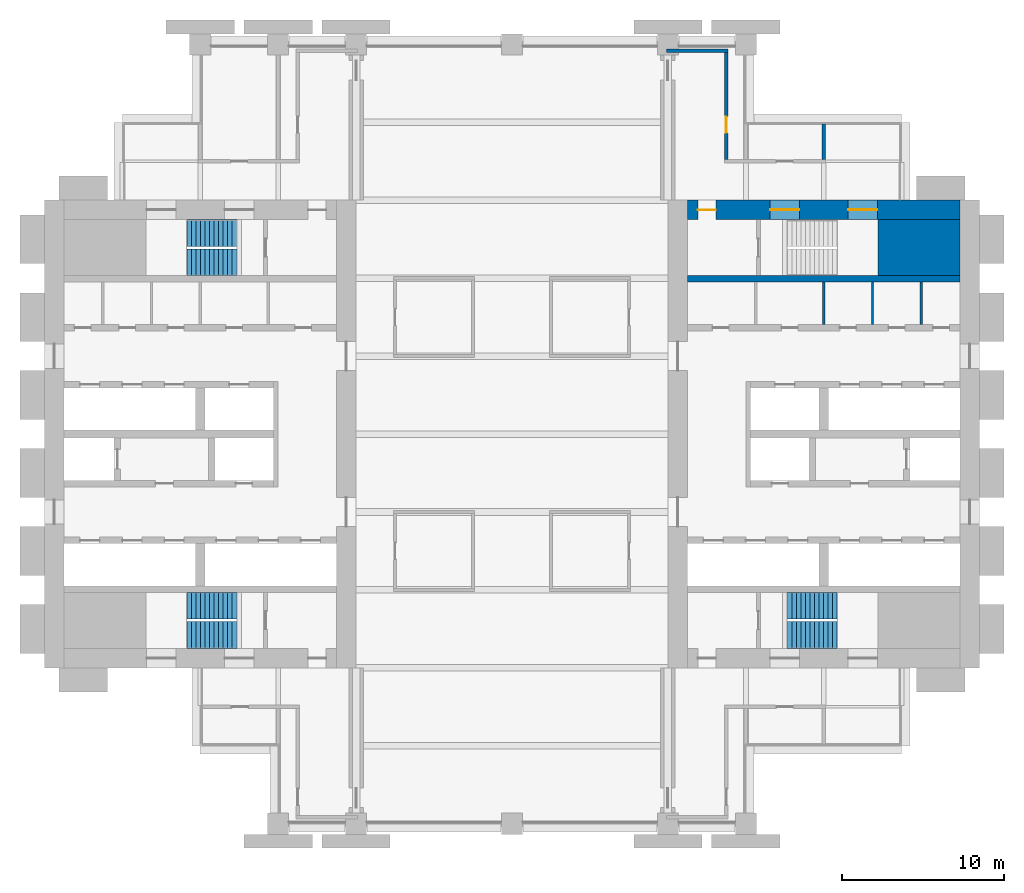
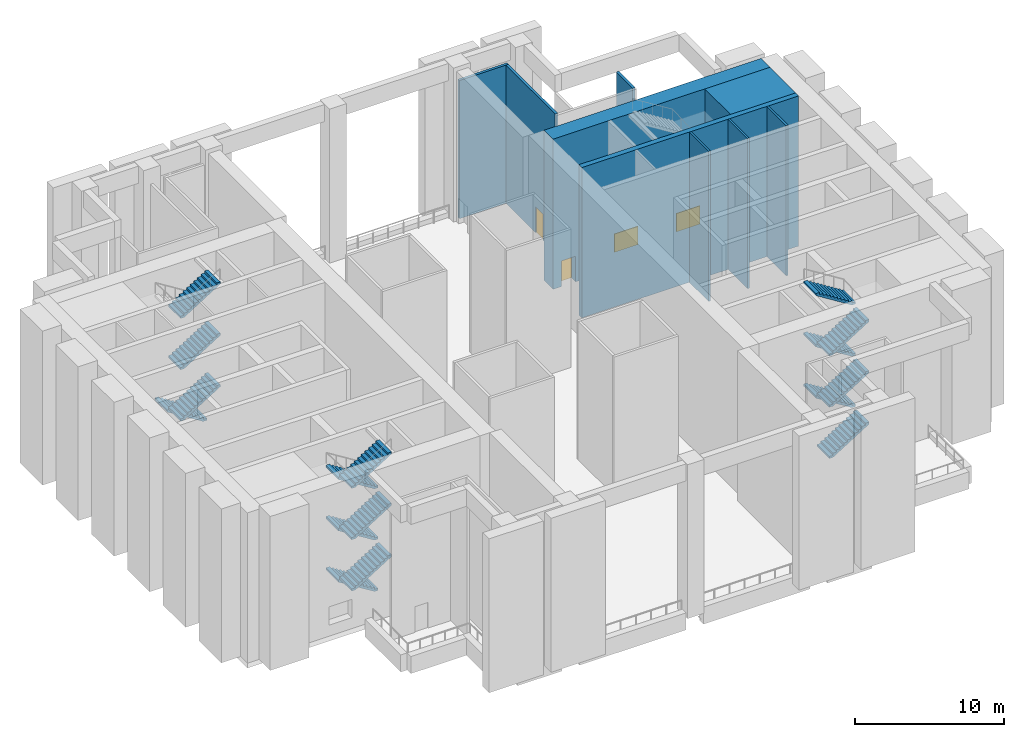
# One storey, part 6 of 10: 16 stair flights, 9 walls, 2 doors, 2 windows, 4 openings, 3 elements without a shape of their own.
"""IFC4 building model written with IfcOpenShell, lengths in metres."""

from ifc_helpers import new_model, si_unit, direction, frame, frame_2d, origin, place, context, subcontext, project, spatial, polyline, rectangle, outline, extrude, material, layer, layer_set, type_object, element, fill, aggregate, save


model = new_model("IFC4")

# Units and contexts
model_context = context("Model", 3, precision=1e-05, world=origin(), true_north=direction((0.0, 1.0)))
body_context = subcontext(model_context, "Body", "Model", "MODEL_VIEW")
ifc_project = project(units=[si_unit("LENGTHUNIT", "METRE"), si_unit("AREAUNIT", "SQUARE_METRE"), si_unit("VOLUMEUNIT", "CUBIC_METRE"), si_unit("PLANEANGLEUNIT", "RADIAN"), si_unit("MASSUNIT", "GRAM", prefix="KILO")], contexts=[model_context])

# Site, building, storey
site_placement = place(None, origin())
site = spatial("IfcSite", under=ifc_project, at=site_placement, CompositionType="ELEMENT")
building_placement = place(site_placement, origin())
building = spatial("IfcBuilding", under=site, at=building_placement, Name="Baori Bourse Tower", CompositionType="ELEMENT")
storey_placement = place(building_placement, frame((0.0, 0.0, 91.5)))
storey = spatial("IfcBuildingStorey", under=building, at=storey_placement, Name="L20", CompositionType="ELEMENT", Elevation=91.5)

# Walls
ifc_material_1 = material(Name="Concrete f'c 70 MPa", Category="concrete")
wall_type_1 = type_object("IfcWallType", Name="Core corner block f'c 70", PredefinedType="SHEAR", material=ifc_material_1)
wall_1_placement = place(storey_placement, frame((51.35009765625, 35.47509765625, 0.0), z_axis=(0.0, 0.0, 1.0), x_axis=(1.0, 0.0, 0.0)))
element("IfcWall", 1, at=wall_1_placement, inside=storey, type_object=wall_type_1, Name="Core wall E22", PredefinedType="SHEAR", context=body_context, shape_type="SweptSolid", body=[
    extrude(rectangle(XDim=5.0498046875, YDim=3.449951171875, at=frame_2d((2.52490234375, 0.0))), origin(), (0.0, 0.0, 1.0), 12.300048828125),
])
ifc_material_2 = material(Name="Blockwork partition", Category="masonry")
ifc_layer_1 = layer(ifc_material_2, 0.14990234375)
ifc_layer_set_1 = layer_set([ifc_layer_1], Name="Core partition 150")
wall_type_2 = type_object("IfcWallType", Name="Core partition 150", PredefinedType="PARTITIONING", material=ifc_layer_set_1)
for number, where, z_axis, x_axis, name in (
    (2, (54.0, 30.75, 0.0), (0.0, 0.0, 1.0), (0.0, 1.0, 0.0), "Partition wall E17"),
    (3, (51.0, 30.75, 0.0), (0.0, 0.0, 1.0), (0.0, 1.0, 0.0), "Partition wall E18"),
    (4, (48.0, 30.75, 0.0), (0.0, 0.0, 1.0), (0.0, 1.0, 0.0), "Partition wall E19"),
):
    element("IfcWall", number, at=place(storey_placement, frame(where, z_axis=z_axis, x_axis=x_axis)), inside=storey, type_object=wall_type_2, Name=name, PredefinedType="PARTITIONING", context=body_context, shape_type="SweptSolid", body=[
        extrude(rectangle(XDim=2.60009765625, YDim=0.14990234375, at=frame_2d((1.300048828125, 0.0))), origin(), (0.0, 0.0, 1.0), 12.300048828125),
    ])

# Wall, openings, door, windows
ifc_material_3 = material(Name="Concrete f'c 70 MPa", Category="concrete")
ifc_layer_2 = layer(ifc_material_3, 1.199951171875)
ifc_layer_set_2 = layer_set([ifc_layer_2], Name="Core wall 1200 f'c 70")
wall_type_3 = type_object("IfcWallType", Name="Core wall 1200 f'c 70", PredefinedType="SHEAR", material=ifc_layer_set_2)
wall_2_placement = place(storey_placement, frame((39.60009765625, 37.800048828125, 0.0), z_axis=(0.0, 0.0, 1.0), x_axis=(1.0, 0.0, 0.0)))
wall_2 = element("IfcWall", 5, at=wall_2_placement, inside=storey, type_object=wall_type_3, Name="Core wall E24", PredefinedType="SHEAR", context=body_context, shape_type="SweptSolid", body=[
    extrude(rectangle(XDim=16.7998046875, YDim=1.199951171875, at=frame_2d((8.39990234375, 0.0))), origin(), (0.0, 0.0, 1.0), 12.300048828125),
])
opening_1_placement = place(wall_2_placement, frame((0.64990234375, 0.0, 0.0)))
opening_1 = element("IfcOpeningElement", 6, at=opening_1_placement, cuts=wall_2, Name="Opening L20-D204", PredefinedType="OPENING", context=body_context, shape_type="SweptSolid", body=[
    extrude(rectangle(XDim=1.10009765625, YDim=2.10009765625, at=frame_2d((0.550048828125, 1.050048828125))), frame((0.0, 0.60986328125, 0.0), z_axis=(0.0, -1.0, 0.0), x_axis=(1.0, 0.0, 0.0)), (0.0, 0.0, 1.0), 1.219970703125),
])
opening_2_placement = place(wall_2_placement, frame((9.89990234375, 0.0, 0.89990234375)))
opening_2 = element("IfcOpeningElement", 7, at=opening_2_placement, cuts=wall_2, Name="Opening L20-KW205", PredefinedType="OPENING", context=body_context, shape_type="SweptSolid", body=[
    extrude(rectangle(XDim=1.800048828125, YDim=1.5, at=frame_2d((0.89990234375, 0.75))), frame((0.0, 0.60986328125, 0.0), z_axis=(0.0, -1.0, 0.0), x_axis=(1.0, 0.0, 0.0)), (0.0, 0.0, 1.0), 1.219970703125),
])
opening_3_placement = place(wall_2_placement, frame((5.10009765625, 0.0, 0.89990234375)))
opening_3 = element("IfcOpeningElement", 8, at=opening_3_placement, cuts=wall_2, Name="Opening L20-KW206", PredefinedType="OPENING", context=body_context, shape_type="SweptSolid", body=[
    extrude(rectangle(XDim=1.800048828125, YDim=1.5, at=frame_2d((0.89990234375, 0.75))), frame((0.0, 0.60986328125, 0.0), z_axis=(0.0, -1.0, 0.0), x_axis=(1.0, 0.0, 0.0)), (0.0, 0.0, 1.0), 1.219970703125),
])
ifc_material_4 = material(Name="Painted steel door", Category="steel")
door_type_1 = type_object("IfcDoorType", Name="Stair door 1100", OperationType="SINGLE_SWING_LEFT", PredefinedType="DOOR", material=ifc_material_4)
door_1_placement = place(opening_1_placement, origin())
door_1 = element("IfcDoor", 9, at=door_1_placement, inside=storey, type_object=door_type_1, Name="Stair vestibule door B E L20", OperationType="SINGLE_SWING_LEFT", OverallHeight=2.10009765625, OverallWidth=1.10009765625, PredefinedType="DOOR", context=body_context, shape_type="SweptSolid", body=[
    extrude(rectangle(XDim=1.10009765625, YDim=2.10009765625, at=frame_2d((0.550048828125, 1.050048828125))), frame((0.0, 0.02490234375, 0.0), z_axis=(0.0, -1.0, 0.0), x_axis=(1.0, 0.0, 0.0)), (0.0, 0.0, 1.0), 0.050048828125),
])
fill(opening_1, door_1)
ifc_material_5 = material(Name="Pale anodised aluminium", Category="aluminium")
window_type = type_object("IfcWindowType", Name="Stair window 1800 x 1500", PartitioningType="SINGLE_PANEL", PredefinedType="WINDOW", material=ifc_material_5)
window_1_placement = place(opening_2_placement, origin())
window_1 = element("IfcWindow", 10, at=window_1_placement, inside=storey, type_object=window_type, Name="Stair window E L20 5", OverallHeight=1.5, OverallWidth=1.800048828125, PartitioningType="SINGLE_PANEL", PredefinedType="WINDOW", context=body_context, shape_type="SweptSolid", body=[
    extrude(rectangle(XDim=1.800048828125, YDim=1.5, at=frame_2d((0.89990234375, 0.75))), frame((0.0, 0.030029296875, 0.0), z_axis=(0.0, -1.0, 0.0), x_axis=(1.0, 0.0, 0.0)), (0.0, 0.0, 1.0), 0.06005859375),
])
fill(opening_2, window_1)
window_2_placement = place(opening_3_placement, origin())
window_2 = element("IfcWindow", 11, at=window_2_placement, inside=storey, type_object=window_type, Name="Stair window E L20 6", OverallHeight=1.5, OverallWidth=1.800048828125, PartitioningType="SINGLE_PANEL", PredefinedType="WINDOW", context=body_context, shape_type="SweptSolid", body=[
    extrude(rectangle(XDim=1.800048828125, YDim=1.5, at=frame_2d((0.89990234375, 0.75))), frame((0.0, 0.030029296875, 0.0), z_axis=(0.0, -1.0, 0.0), x_axis=(1.0, 0.0, 0.0)), (0.0, 0.0, 1.0), 0.06005859375),
])
fill(opening_3, window_2)

# Wall
ifc_material_6 = material(Name="Gypsum board partition")
ifc_layer_3 = layer(ifc_material_6, 0.199951171875)
ifc_layer_set_3 = layer_set([ifc_layer_3], Name="Plant room wall 200")
wall_type_4 = type_object("IfcWallType", Name="Plant room wall 200", PredefinedType="PARTITIONING", material=ifc_layer_set_3)
wall_3_placement = place(storey_placement, frame((38.300048828125, 47.60009765625, 0.0), z_axis=(0.0, 0.0, 1.0), x_axis=(1.0, 0.0, 0.0)))
element("IfcWall", 12, at=wall_3_placement, inside=storey, type_object=wall_type_4, Name="Partition", PredefinedType="PARTITIONING", context=body_context, shape_type="SweptSolid", body=[
    extrude(rectangle(XDim=3.800048828125, YDim=0.199951171875, at=frame_2d((1.89990234375, 0.0))), origin(), (0.0, 0.0, 1.0), 11.309326171875),
])

# Wall, opening, door
wall_4_placement = place(storey_placement, frame((42.0, 40.89990234375, 0.0), z_axis=(0.0, 0.0, 1.0), x_axis=(0.0, 1.0, 0.0)))
wall_4 = element("IfcWall", 13, at=wall_4_placement, inside=storey, type_object=wall_type_4, Name="Partition", PredefinedType="PARTITIONING", context=body_context, shape_type="SweptSolid", body=[
    extrude(rectangle(XDim=6.60009765625, YDim=0.199951171875, at=frame_2d((3.300048828125, 0.0))), origin(), (0.0, 0.0, 1.0), 11.309326171875),
])
opening_4_placement = place(wall_4_placement, frame((1.64990234375, 0.0, 0.0)))
opening_4 = element("IfcOpeningElement", 14, at=opening_4_placement, cuts=wall_4, Name="Opening L20-D12", PredefinedType="OPENING", context=body_context, shape_type="SweptSolid", body=[
    extrude(rectangle(XDim=1.0, YDim=2.10009765625, at=frame_2d((0.5, 1.050048828125))), frame((0.0, 0.10986328125, 0.0), z_axis=(0.0, -1.0, 0.0), x_axis=(1.0, 0.0, 0.0)), (0.0, 0.0, 1.0), 0.219970703125),
])
ifc_material_7 = material(Name="Timber door leaf", Category="wood")
door_type_2 = type_object("IfcDoorType", Name="Door 1000 x 2100", OperationType="SINGLE_SWING_LEFT", PredefinedType="DOOR", material=ifc_material_7)
door_2_placement = place(opening_4_placement, origin())
door_2 = element("IfcDoor", 15, at=door_2_placement, inside=storey, type_object=door_type_2, Name="Door", OperationType="SINGLE_SWING_LEFT", OverallHeight=2.10009765625, OverallWidth=1.0, PredefinedType="DOOR", context=body_context, shape_type="SweptSolid", body=[
    extrude(rectangle(XDim=1.0, YDim=2.10009765625, at=frame_2d((0.5, 1.050048828125))), frame((0.0, 0.02490234375, 0.0), z_axis=(0.0, -1.0, 0.0), x_axis=(1.0, 0.0, 0.0)), (0.0, 0.0, 1.0), 0.050048828125),
])
fill(opening_4, door_2)

# Walls
wall_5_placement = place(storey_placement, frame((48.0, 40.89990234375, 0.0), z_axis=(0.0, 0.0, 1.0), x_axis=(0.0, 1.0, 0.0)))
element("IfcWall", 16, at=wall_5_placement, inside=storey, type_object=wall_type_4, Name="Partition", PredefinedType="PARTITIONING", context=body_context, shape_type="SweptSolid", body=[
    extrude(rectangle(XDim=2.2001953125, YDim=0.199951171875, at=frame_2d((1.10009765625, 0.0))), origin(), (0.0, 0.0, 1.0), 11.309326171875),
])
ifc_material_8 = material(Name="Concrete f'c 70 MPa", Category="concrete")
ifc_layer_4 = layer(ifc_material_8, 0.39990234375)
ifc_layer_set_4 = layer_set([ifc_layer_4], Name="Shaft wall 400 f'c 70")
wall_type_5 = type_object("IfcWallType", Name="Shaft wall 400 f'c 70", PredefinedType="SHEAR", material=ifc_layer_set_4)
wall_6_placement = place(storey_placement, frame((39.60009765625, 33.550048828125, 0.0), z_axis=(0.0, 0.0, 1.0), x_axis=(1.0, 0.0, 0.0)))
element("IfcWall", 17, at=wall_6_placement, inside=storey, type_object=wall_type_5, Name="Core wall E21", PredefinedType="SHEAR", context=body_context, shape_type="SweptSolid", body=[
    extrude(rectangle(XDim=16.7998046875, YDim=0.39990234375, at=frame_2d((8.39990234375, 0.0))), origin(), (0.0, 0.0, 1.0), 12.300048828125),
])

# Stair, stair flights
ifc_material_9 = material(Name="Concrete f'c 50 MPa", Category="concrete")
stair_type = type_object("IfcStairType", Name="Core stair", PredefinedType="HALF_TURN_STAIR", material=ifc_material_9)
stair_1_placement = place(storey_placement, origin())
stair_1 = element("IfcStair", 18, at=stair_1_placement, inside=storey, type_object=stair_type, Name="L20 Stair WA", PredefinedType="HALF_TURN_STAIR")
ifc_material_10 = material(Name="Concrete f'c 50 MPa", Category="concrete")
stair_flight_type = type_object("IfcStairFlightType", Name="Core stair flight", PredefinedType="STRAIGHT", material=ifc_material_10)
stair_flight_1_placement = place(storey_placement, frame((11.85009765625, 13.425048828125, 0.0), z_axis=(0.0, 0.0, 1.0), x_axis=(-1.0, 0.0, 0.0)))
stair_flight_1 = element("IfcStairFlight", 19, at=stair_flight_1_placement, type_object=stair_flight_type, Name="ST1 flight 1", NumberOfRisers=12, NumberOfTreads=11, PredefinedType="STRAIGHT", RiserHeight=0.175, TreadLength=0.28, context=body_context, shape_type="SweptSolid", body=[
    extrude(outline(polyline([(0.0, 0.0), (0.0, 0.175048828125), (0.280029296875, 0.175048828125), (0.280029296875, 0.35009765625), (0.56005859375, 0.35009765625), (0.56005859375, 0.52490234375), (0.840087890625, 0.52490234375), (0.840087890625, 0.699951171875), (1.1201171875, 0.699951171875), (1.1201171875, 0.875), (1.39990234375, 0.875), (1.39990234375, 1.050048828125), (1.679931640625, 1.050048828125), (1.679931640625, 1.22509765625), (1.9599609375, 1.22509765625), (1.9599609375, 1.39990234375), (2.239990234375, 1.39990234375), (2.239990234375, 1.574951171875), (2.52001953125, 1.574951171875), (2.52001953125, 1.75), (2.800048828125, 1.75), (2.800048828125, 1.925048828125), (3.080078125, 1.925048828125), (3.080078125, 2.10009765625), (3.080078125, 1.748291015625), (0.28271484375, 0.0), (0.0, 0.0)])), frame((0.0, 0.824951171875, 0.0), z_axis=(0.0, -1.0, 0.0), x_axis=(1.0, 0.0, 0.0)), (0.0, 0.0, 1.0), 1.64990234375),
])
stair_flight_2_placement = place(storey_placement, frame((8.77001953125, 11.625, 2.10009765625), z_axis=(0.0, 0.0, 1.0), x_axis=(1.0, 0.0, 0.0)))
stair_flight_2 = element("IfcStairFlight", 20, at=stair_flight_2_placement, type_object=stair_flight_type, Name="ST1 flight 2", NumberOfRisers=12, NumberOfTreads=11, PredefinedType="STRAIGHT", RiserHeight=0.175, TreadLength=0.28, context=body_context, shape_type="SweptSolid", body=[
    extrude(outline(polyline([(0.0, 0.0), (0.0, 0.175048828125), (0.280029296875, 0.175048828125), (0.280029296875, 0.35009765625), (0.56005859375, 0.35009765625), (0.56005859375, 0.52490234375), (0.840087890625, 0.52490234375), (0.840087890625, 0.699951171875), (1.1201171875, 0.699951171875), (1.1201171875, 0.875), (1.39990234375, 0.875), (1.39990234375, 1.050048828125), (1.679931640625, 1.050048828125), (1.679931640625, 1.22509765625), (1.9599609375, 1.22509765625), (1.9599609375, 1.39990234375), (2.239990234375, 1.39990234375), (2.239990234375, 1.574951171875), (2.52001953125, 1.574951171875), (2.52001953125, 1.75), (2.800048828125, 1.75), (2.800048828125, 1.925048828125), (3.080078125, 1.925048828125), (3.080078125, 2.10009765625), (3.080078125, 1.748291015625), (0.28271484375, 0.0), (0.0, 0.0)])), frame((0.0, 0.824951171875, 0.0), z_axis=(0.0, -1.0, 0.0), x_axis=(1.0, 0.0, 0.0)), (0.0, 0.0, 1.0), 1.64990234375),
])
stair_flight_3_placement = place(storey_placement, frame((11.85009765625, 13.425048828125, 4.199951171875), z_axis=(0.0, 0.0, 1.0), x_axis=(-1.0, 0.0, 0.0)))
stair_flight_3 = element("IfcStairFlight", 21, at=stair_flight_3_placement, type_object=stair_flight_type, Name="ST1 flight 3", NumberOfRisers=12, NumberOfTreads=11, PredefinedType="STRAIGHT", RiserHeight=0.175, TreadLength=0.28, context=body_context, shape_type="SweptSolid", body=[
    extrude(outline(polyline([(0.0, 0.0), (0.0, 0.175048828125), (0.280029296875, 0.175048828125), (0.280029296875, 0.35009765625), (0.56005859375, 0.35009765625), (0.56005859375, 0.52490234375), (0.840087890625, 0.52490234375), (0.840087890625, 0.699951171875), (1.1201171875, 0.699951171875), (1.1201171875, 0.875), (1.39990234375, 0.875), (1.39990234375, 1.050048828125), (1.679931640625, 1.050048828125), (1.679931640625, 1.22509765625), (1.9599609375, 1.22509765625), (1.9599609375, 1.39990234375), (2.239990234375, 1.39990234375), (2.239990234375, 1.574951171875), (2.52001953125, 1.574951171875), (2.52001953125, 1.75), (2.800048828125, 1.75), (2.800048828125, 1.925048828125), (3.080078125, 1.925048828125), (3.080078125, 2.10009765625), (3.080078125, 1.748291015625), (0.28271484375, 0.0), (0.0, 0.0)])), frame((0.0, 0.824951171875, 0.0), z_axis=(0.0, -1.0, 0.0), x_axis=(1.0, 0.0, 0.0)), (0.0, 0.0, 1.0), 1.64990234375),
])
stair_flight_4_placement = place(storey_placement, frame((8.77001953125, 11.625, 6.300048828125), z_axis=(0.0, 0.0, 1.0), x_axis=(1.0, 0.0, 0.0)))
stair_flight_4 = element("IfcStairFlight", 22, at=stair_flight_4_placement, type_object=stair_flight_type, Name="ST1 flight 4", NumberOfRisers=12, NumberOfTreads=11, PredefinedType="STRAIGHT", RiserHeight=0.175, TreadLength=0.28, context=body_context, shape_type="SweptSolid", body=[
    extrude(outline(polyline([(0.0, 0.0), (0.0, 0.175048828125), (0.280029296875, 0.175048828125), (0.280029296875, 0.35009765625), (0.56005859375, 0.35009765625), (0.56005859375, 0.52490234375), (0.840087890625, 0.52490234375), (0.840087890625, 0.699951171875), (1.1201171875, 0.699951171875), (1.1201171875, 0.875), (1.39990234375, 0.875), (1.39990234375, 1.050048828125), (1.679931640625, 1.050048828125), (1.679931640625, 1.22509765625), (1.9599609375, 1.22509765625), (1.9599609375, 1.39990234375), (2.239990234375, 1.39990234375), (2.239990234375, 1.574951171875), (2.52001953125, 1.574951171875), (2.52001953125, 1.75), (2.800048828125, 1.75), (2.800048828125, 1.925048828125), (3.080078125, 1.925048828125), (3.080078125, 2.10009765625), (3.080078125, 1.748291015625), (0.28271484375, 0.0), (0.0, 0.0)])), frame((0.0, 0.824951171875, 0.0), z_axis=(0.0, -1.0, 0.0), x_axis=(1.0, 0.0, 0.0)), (0.0, 0.0, 1.0), 1.64990234375),
])
stair_flight_5_placement = place(storey_placement, frame((11.85009765625, 13.425048828125, 8.39990234375), z_axis=(0.0, 0.0, 1.0), x_axis=(-1.0, 0.0, 0.0)))
stair_flight_5 = element("IfcStairFlight", 23, at=stair_flight_5_placement, type_object=stair_flight_type, Name="ST1 flight 5", NumberOfRisers=12, NumberOfTreads=11, PredefinedType="STRAIGHT", RiserHeight=0.175, TreadLength=0.28, context=body_context, shape_type="SweptSolid", body=[
    extrude(outline(polyline([(0.0, 0.0), (0.0, 0.175048828125), (0.280029296875, 0.175048828125), (0.280029296875, 0.35009765625), (0.56005859375, 0.35009765625), (0.56005859375, 0.52490234375), (0.840087890625, 0.52490234375), (0.840087890625, 0.699951171875), (1.1201171875, 0.699951171875), (1.1201171875, 0.875), (1.39990234375, 0.875), (1.39990234375, 1.050048828125), (1.679931640625, 1.050048828125), (1.679931640625, 1.22509765625), (1.9599609375, 1.22509765625), (1.9599609375, 1.39990234375), (2.239990234375, 1.39990234375), (2.239990234375, 1.574951171875), (2.52001953125, 1.574951171875), (2.52001953125, 1.75), (2.800048828125, 1.75), (2.800048828125, 1.925048828125), (3.080078125, 1.925048828125), (3.080078125, 2.10009765625), (3.080078125, 1.748291015625), (0.28271484375, 0.0), (0.0, 0.0)])), frame((0.0, 0.824951171875, 0.0), z_axis=(0.0, -1.0, 0.0), x_axis=(1.0, 0.0, 0.0)), (0.0, 0.0, 1.0), 1.64990234375),
])
stair_flight_6_placement = place(storey_placement, frame((8.77001953125, 11.625, 10.5), z_axis=(0.0, 0.0, 1.0), x_axis=(1.0, 0.0, 0.0)))
stair_flight_6 = element("IfcStairFlight", 24, at=stair_flight_6_placement, type_object=stair_flight_type, Name="ST1 flight 6", NumberOfRisers=12, NumberOfTreads=11, PredefinedType="STRAIGHT", RiserHeight=0.175, TreadLength=0.28, context=body_context, shape_type="SweptSolid", body=[
    extrude(outline(polyline([(0.0, 0.0), (0.0, 0.175048828125), (0.280029296875, 0.175048828125), (0.280029296875, 0.35009765625), (0.56005859375, 0.35009765625), (0.56005859375, 0.52490234375), (0.840087890625, 0.52490234375), (0.840087890625, 0.699951171875), (1.1201171875, 0.699951171875), (1.1201171875, 0.875), (1.39990234375, 0.875), (1.39990234375, 1.050048828125), (1.679931640625, 1.050048828125), (1.679931640625, 1.22509765625), (1.9599609375, 1.22509765625), (1.9599609375, 1.39990234375), (2.239990234375, 1.39990234375), (2.239990234375, 1.574951171875), (2.52001953125, 1.574951171875), (2.52001953125, 1.75), (2.800048828125, 1.75), (2.800048828125, 1.925048828125), (3.080078125, 1.925048828125), (3.080078125, 2.10009765625), (3.080078125, 1.748291015625), (0.28271484375, 0.0), (0.0, 0.0)])), frame((0.0, 0.824951171875, 0.0), z_axis=(0.0, -1.0, 0.0), x_axis=(1.0, 0.0, 0.0)), (0.0, 0.0, 1.0), 1.64990234375),
])
aggregate(stair_1, [stair_flight_1, stair_flight_2, stair_flight_3, stair_flight_4, stair_flight_5, stair_flight_6])

stair_2_placement = place(storey_placement, origin())
stair_2 = element("IfcStair", 25, at=stair_2_placement, inside=storey, type_object=stair_type, Name="L20 Stair WB", PredefinedType="HALF_TURN_STAIR")
stair_flight_7_placement = place(storey_placement, frame((11.85009765625, 36.375, 0.0), z_axis=(0.0, 0.0, 1.0), x_axis=(-1.0, 0.0, 0.0)))
stair_flight_7 = element("IfcStairFlight", 26, at=stair_flight_7_placement, type_object=stair_flight_type, Name="ST2 flight 1", NumberOfRisers=12, NumberOfTreads=11, PredefinedType="STRAIGHT", RiserHeight=0.175, TreadLength=0.28, context=body_context, shape_type="SweptSolid", body=[
    extrude(outline(polyline([(0.0, 0.0), (0.0, 0.175048828125), (0.280029296875, 0.175048828125), (0.280029296875, 0.35009765625), (0.56005859375, 0.35009765625), (0.56005859375, 0.52490234375), (0.840087890625, 0.52490234375), (0.840087890625, 0.699951171875), (1.1201171875, 0.699951171875), (1.1201171875, 0.875), (1.39990234375, 0.875), (1.39990234375, 1.050048828125), (1.679931640625, 1.050048828125), (1.679931640625, 1.22509765625), (1.9599609375, 1.22509765625), (1.9599609375, 1.39990234375), (2.239990234375, 1.39990234375), (2.239990234375, 1.574951171875), (2.52001953125, 1.574951171875), (2.52001953125, 1.75), (2.800048828125, 1.75), (2.800048828125, 1.925048828125), (3.080078125, 1.925048828125), (3.080078125, 2.10009765625), (3.080078125, 1.748291015625), (0.28271484375, 0.0), (0.0, 0.0)])), frame((0.0, 0.824951171875, 0.0), z_axis=(0.0, -1.0, 0.0), x_axis=(1.0, 0.0, 0.0)), (0.0, 0.0, 1.0), 1.64990234375),
])
stair_flight_8_placement = place(storey_placement, frame((8.77001953125, 34.574951171875, 2.10009765625), z_axis=(0.0, 0.0, 1.0), x_axis=(1.0, 0.0, 0.0)))
stair_flight_8 = element("IfcStairFlight", 27, at=stair_flight_8_placement, type_object=stair_flight_type, Name="ST2 flight 2", NumberOfRisers=12, NumberOfTreads=11, PredefinedType="STRAIGHT", RiserHeight=0.175, TreadLength=0.28, context=body_context, shape_type="SweptSolid", body=[
    extrude(outline(polyline([(0.0, 0.0), (0.0, 0.175048828125), (0.280029296875, 0.175048828125), (0.280029296875, 0.35009765625), (0.56005859375, 0.35009765625), (0.56005859375, 0.52490234375), (0.840087890625, 0.52490234375), (0.840087890625, 0.699951171875), (1.1201171875, 0.699951171875), (1.1201171875, 0.875), (1.39990234375, 0.875), (1.39990234375, 1.050048828125), (1.679931640625, 1.050048828125), (1.679931640625, 1.22509765625), (1.9599609375, 1.22509765625), (1.9599609375, 1.39990234375), (2.239990234375, 1.39990234375), (2.239990234375, 1.574951171875), (2.52001953125, 1.574951171875), (2.52001953125, 1.75), (2.800048828125, 1.75), (2.800048828125, 1.925048828125), (3.080078125, 1.925048828125), (3.080078125, 2.10009765625), (3.080078125, 1.748291015625), (0.28271484375, 0.0), (0.0, 0.0)])), frame((0.0, 0.824951171875, 0.0), z_axis=(0.0, -1.0, 0.0), x_axis=(1.0, 0.0, 0.0)), (0.0, 0.0, 1.0), 1.64990234375),
])
stair_flight_9_placement = place(storey_placement, frame((8.77001953125, 34.574951171875, 6.300048828125), z_axis=(0.0, 0.0, 1.0), x_axis=(1.0, 0.0, 0.0)))
stair_flight_9 = element("IfcStairFlight", 28, at=stair_flight_9_placement, type_object=stair_flight_type, Name="ST2 flight 4", NumberOfRisers=12, NumberOfTreads=11, PredefinedType="STRAIGHT", RiserHeight=0.175, TreadLength=0.28, context=body_context, shape_type="SweptSolid", body=[
    extrude(outline(polyline([(0.0, 0.0), (0.0, 0.175048828125), (0.280029296875, 0.175048828125), (0.280029296875, 0.35009765625), (0.56005859375, 0.35009765625), (0.56005859375, 0.52490234375), (0.840087890625, 0.52490234375), (0.840087890625, 0.699951171875), (1.1201171875, 0.699951171875), (1.1201171875, 0.875), (1.39990234375, 0.875), (1.39990234375, 1.050048828125), (1.679931640625, 1.050048828125), (1.679931640625, 1.22509765625), (1.9599609375, 1.22509765625), (1.9599609375, 1.39990234375), (2.239990234375, 1.39990234375), (2.239990234375, 1.574951171875), (2.52001953125, 1.574951171875), (2.52001953125, 1.75), (2.800048828125, 1.75), (2.800048828125, 1.925048828125), (3.080078125, 1.925048828125), (3.080078125, 2.10009765625), (3.080078125, 1.748291015625), (0.28271484375, 0.0), (0.0, 0.0)])), frame((0.0, 0.824951171875, 0.0), z_axis=(0.0, -1.0, 0.0), x_axis=(1.0, 0.0, 0.0)), (0.0, 0.0, 1.0), 1.64990234375),
])
stair_flight_10_placement = place(storey_placement, frame((8.77001953125, 34.574951171875, 10.5), z_axis=(0.0, 0.0, 1.0), x_axis=(1.0, 0.0, 0.0)))
stair_flight_10 = element("IfcStairFlight", 29, at=stair_flight_10_placement, type_object=stair_flight_type, Name="ST2 flight 6", NumberOfRisers=12, NumberOfTreads=11, PredefinedType="STRAIGHT", RiserHeight=0.175, TreadLength=0.28, context=body_context, shape_type="SweptSolid", body=[
    extrude(outline(polyline([(0.0, 0.0), (0.0, 0.175048828125), (0.280029296875, 0.175048828125), (0.280029296875, 0.35009765625), (0.56005859375, 0.35009765625), (0.56005859375, 0.52490234375), (0.840087890625, 0.52490234375), (0.840087890625, 0.699951171875), (1.1201171875, 0.699951171875), (1.1201171875, 0.875), (1.39990234375, 0.875), (1.39990234375, 1.050048828125), (1.679931640625, 1.050048828125), (1.679931640625, 1.22509765625), (1.9599609375, 1.22509765625), (1.9599609375, 1.39990234375), (2.239990234375, 1.39990234375), (2.239990234375, 1.574951171875), (2.52001953125, 1.574951171875), (2.52001953125, 1.75), (2.800048828125, 1.75), (2.800048828125, 1.925048828125), (3.080078125, 1.925048828125), (3.080078125, 2.10009765625), (3.080078125, 1.748291015625), (0.28271484375, 0.0), (0.0, 0.0)])), frame((0.0, 0.824951171875, 0.0), z_axis=(0.0, -1.0, 0.0), x_axis=(1.0, 0.0, 0.0)), (0.0, 0.0, 1.0), 1.64990234375),
])
aggregate(stair_2, [stair_flight_7, stair_flight_8, stair_flight_9, stair_flight_10])

stair_3_placement = place(storey_placement, origin())
stair_3 = element("IfcStair", 30, at=stair_3_placement, inside=storey, type_object=stair_type, Name="L20 Stair EA", PredefinedType="HALF_TURN_STAIR")
stair_flight_11_placement = place(storey_placement, frame((45.75, 11.625, 0.0), z_axis=(0.0, 0.0, 1.0), x_axis=(1.0, 0.0, 0.0)))
stair_flight_11 = element("IfcStairFlight", 31, at=stair_flight_11_placement, type_object=stair_flight_type, Name="ST3 flight 1", NumberOfRisers=12, NumberOfTreads=11, PredefinedType="STRAIGHT", RiserHeight=0.175, TreadLength=0.28, context=body_context, shape_type="SweptSolid", body=[
    extrude(outline(polyline([(0.0, 0.0), (0.0, 0.175048828125), (0.280029296875, 0.175048828125), (0.280029296875, 0.35009765625), (0.56005859375, 0.35009765625), (0.56005859375, 0.52490234375), (0.840087890625, 0.52490234375), (0.840087890625, 0.699951171875), (1.1201171875, 0.699951171875), (1.1201171875, 0.875), (1.39990234375, 0.875), (1.39990234375, 1.050048828125), (1.679931640625, 1.050048828125), (1.679931640625, 1.22509765625), (1.9599609375, 1.22509765625), (1.9599609375, 1.39990234375), (2.239990234375, 1.39990234375), (2.239990234375, 1.574951171875), (2.52001953125, 1.574951171875), (2.52001953125, 1.75), (2.800048828125, 1.75), (2.800048828125, 1.925048828125), (3.080078125, 1.925048828125), (3.080078125, 2.10009765625), (3.080078125, 1.748291015625), (0.28271484375, 0.0), (0.0, 0.0)])), frame((0.0, 0.824951171875, 0.0), z_axis=(0.0, -1.0, 0.0), x_axis=(1.0, 0.0, 0.0)), (0.0, 0.0, 1.0), 1.64990234375),
])
stair_flight_12_placement = place(storey_placement, frame((48.830078125, 13.425048828125, 2.10009765625), z_axis=(0.0, 0.0, 1.0), x_axis=(-1.0, 0.0, 0.0)))
stair_flight_12 = element("IfcStairFlight", 32, at=stair_flight_12_placement, type_object=stair_flight_type, Name="ST3 flight 2", NumberOfRisers=12, NumberOfTreads=11, PredefinedType="STRAIGHT", RiserHeight=0.175, TreadLength=0.28, context=body_context, shape_type="SweptSolid", body=[
    extrude(outline(polyline([(0.0, 0.0), (0.0, 0.175048828125), (0.280029296875, 0.175048828125), (0.280029296875, 0.35009765625), (0.56005859375, 0.35009765625), (0.56005859375, 0.52490234375), (0.840087890625, 0.52490234375), (0.840087890625, 0.699951171875), (1.1201171875, 0.699951171875), (1.1201171875, 0.875), (1.39990234375, 0.875), (1.39990234375, 1.050048828125), (1.679931640625, 1.050048828125), (1.679931640625, 1.22509765625), (1.9599609375, 1.22509765625), (1.9599609375, 1.39990234375), (2.239990234375, 1.39990234375), (2.239990234375, 1.574951171875), (2.52001953125, 1.574951171875), (2.52001953125, 1.75), (2.800048828125, 1.75), (2.800048828125, 1.925048828125), (3.080078125, 1.925048828125), (3.080078125, 2.10009765625), (3.080078125, 1.748291015625), (0.28271484375, 0.0), (0.0, 0.0)])), frame((0.0, 0.824951171875, 0.0), z_axis=(0.0, -1.0, 0.0), x_axis=(1.0, 0.0, 0.0)), (0.0, 0.0, 1.0), 1.64990234375),
])
stair_flight_13_placement = place(storey_placement, frame((45.75, 11.625, 4.199951171875), z_axis=(0.0, 0.0, 1.0), x_axis=(1.0, 0.0, 0.0)))
stair_flight_13 = element("IfcStairFlight", 33, at=stair_flight_13_placement, type_object=stair_flight_type, Name="ST3 flight 3", NumberOfRisers=12, NumberOfTreads=11, PredefinedType="STRAIGHT", RiserHeight=0.175, TreadLength=0.28, context=body_context, shape_type="SweptSolid", body=[
    extrude(outline(polyline([(0.0, 0.0), (0.0, 0.175048828125), (0.280029296875, 0.175048828125), (0.280029296875, 0.35009765625), (0.56005859375, 0.35009765625), (0.56005859375, 0.52490234375), (0.840087890625, 0.52490234375), (0.840087890625, 0.699951171875), (1.1201171875, 0.699951171875), (1.1201171875, 0.875), (1.39990234375, 0.875), (1.39990234375, 1.050048828125), (1.679931640625, 1.050048828125), (1.679931640625, 1.22509765625), (1.9599609375, 1.22509765625), (1.9599609375, 1.39990234375), (2.239990234375, 1.39990234375), (2.239990234375, 1.574951171875), (2.52001953125, 1.574951171875), (2.52001953125, 1.75), (2.800048828125, 1.75), (2.800048828125, 1.925048828125), (3.080078125, 1.925048828125), (3.080078125, 2.10009765625), (3.080078125, 1.748291015625), (0.28271484375, 0.0), (0.0, 0.0)])), frame((0.0, 0.824951171875, 0.0), z_axis=(0.0, -1.0, 0.0), x_axis=(1.0, 0.0, 0.0)), (0.0, 0.0, 1.0), 1.64990234375),
])
stair_flight_14_placement = place(storey_placement, frame((48.830078125, 13.425048828125, 6.300048828125), z_axis=(0.0, 0.0, 1.0), x_axis=(-1.0, 0.0, 0.0)))
stair_flight_14 = element("IfcStairFlight", 34, at=stair_flight_14_placement, type_object=stair_flight_type, Name="ST3 flight 4", NumberOfRisers=12, NumberOfTreads=11, PredefinedType="STRAIGHT", RiserHeight=0.175, TreadLength=0.28, context=body_context, shape_type="SweptSolid", body=[
    extrude(outline(polyline([(0.0, 0.0), (0.0, 0.175048828125), (0.280029296875, 0.175048828125), (0.280029296875, 0.35009765625), (0.56005859375, 0.35009765625), (0.56005859375, 0.52490234375), (0.840087890625, 0.52490234375), (0.840087890625, 0.699951171875), (1.1201171875, 0.699951171875), (1.1201171875, 0.875), (1.39990234375, 0.875), (1.39990234375, 1.050048828125), (1.679931640625, 1.050048828125), (1.679931640625, 1.22509765625), (1.9599609375, 1.22509765625), (1.9599609375, 1.39990234375), (2.239990234375, 1.39990234375), (2.239990234375, 1.574951171875), (2.52001953125, 1.574951171875), (2.52001953125, 1.75), (2.800048828125, 1.75), (2.800048828125, 1.925048828125), (3.080078125, 1.925048828125), (3.080078125, 2.10009765625), (3.080078125, 1.748291015625), (0.28271484375, 0.0), (0.0, 0.0)])), frame((0.0, 0.824951171875, 0.0), z_axis=(0.0, -1.0, 0.0), x_axis=(1.0, 0.0, 0.0)), (0.0, 0.0, 1.0), 1.64990234375),
])
stair_flight_15_placement = place(storey_placement, frame((45.75, 11.625, 8.39990234375), z_axis=(0.0, 0.0, 1.0), x_axis=(1.0, 0.0, 0.0)))
stair_flight_15 = element("IfcStairFlight", 35, at=stair_flight_15_placement, type_object=stair_flight_type, Name="ST3 flight 5", NumberOfRisers=12, NumberOfTreads=11, PredefinedType="STRAIGHT", RiserHeight=0.175, TreadLength=0.28, context=body_context, shape_type="SweptSolid", body=[
    extrude(outline(polyline([(0.0, 0.0), (0.0, 0.175048828125), (0.280029296875, 0.175048828125), (0.280029296875, 0.35009765625), (0.56005859375, 0.35009765625), (0.56005859375, 0.52490234375), (0.840087890625, 0.52490234375), (0.840087890625, 0.699951171875), (1.1201171875, 0.699951171875), (1.1201171875, 0.875), (1.39990234375, 0.875), (1.39990234375, 1.050048828125), (1.679931640625, 1.050048828125), (1.679931640625, 1.22509765625), (1.9599609375, 1.22509765625), (1.9599609375, 1.39990234375), (2.239990234375, 1.39990234375), (2.239990234375, 1.574951171875), (2.52001953125, 1.574951171875), (2.52001953125, 1.75), (2.800048828125, 1.75), (2.800048828125, 1.925048828125), (3.080078125, 1.925048828125), (3.080078125, 2.10009765625), (3.080078125, 1.748291015625), (0.28271484375, 0.0), (0.0, 0.0)])), frame((0.0, 0.824951171875, 0.0), z_axis=(0.0, -1.0, 0.0), x_axis=(1.0, 0.0, 0.0)), (0.0, 0.0, 1.0), 1.64990234375),
])
stair_flight_16_placement = place(storey_placement, frame((48.830078125, 13.425048828125, 10.5), z_axis=(0.0, 0.0, 1.0), x_axis=(-1.0, 0.0, 0.0)))
stair_flight_16 = element("IfcStairFlight", 36, at=stair_flight_16_placement, type_object=stair_flight_type, Name="ST3 flight 6", NumberOfRisers=12, NumberOfTreads=11, PredefinedType="STRAIGHT", RiserHeight=0.175, TreadLength=0.28, context=body_context, shape_type="SweptSolid", body=[
    extrude(outline(polyline([(0.0, 0.0), (0.0, 0.175048828125), (0.280029296875, 0.175048828125), (0.280029296875, 0.35009765625), (0.56005859375, 0.35009765625), (0.56005859375, 0.52490234375), (0.840087890625, 0.52490234375), (0.840087890625, 0.699951171875), (1.1201171875, 0.699951171875), (1.1201171875, 0.875), (1.39990234375, 0.875), (1.39990234375, 1.050048828125), (1.679931640625, 1.050048828125), (1.679931640625, 1.22509765625), (1.9599609375, 1.22509765625), (1.9599609375, 1.39990234375), (2.239990234375, 1.39990234375), (2.239990234375, 1.574951171875), (2.52001953125, 1.574951171875), (2.52001953125, 1.75), (2.800048828125, 1.75), (2.800048828125, 1.925048828125), (3.080078125, 1.925048828125), (3.080078125, 2.10009765625), (3.080078125, 1.748291015625), (0.28271484375, 0.0), (0.0, 0.0)])), frame((0.0, 0.824951171875, 0.0), z_axis=(0.0, -1.0, 0.0), x_axis=(1.0, 0.0, 0.0)), (0.0, 0.0, 1.0), 1.64990234375),
])
aggregate(stair_3, [stair_flight_11, stair_flight_12, stair_flight_13, stair_flight_14, stair_flight_15, stair_flight_16])

save(model, "model.ifc")
